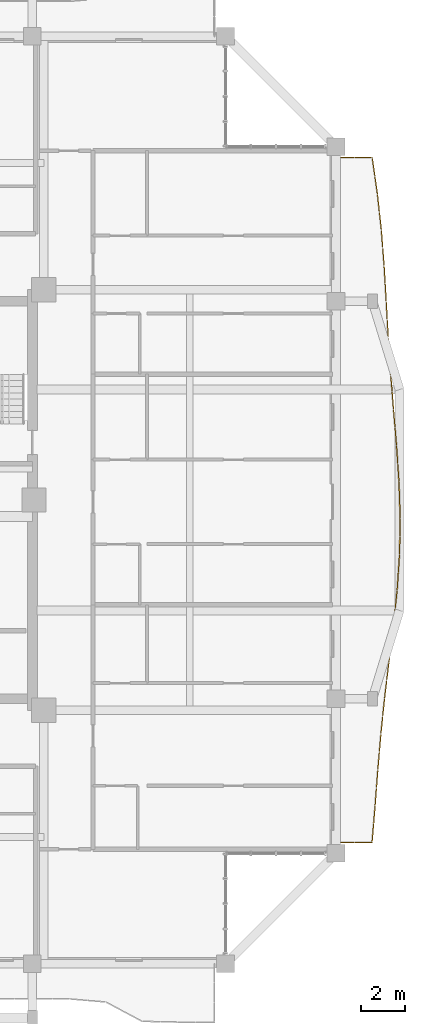
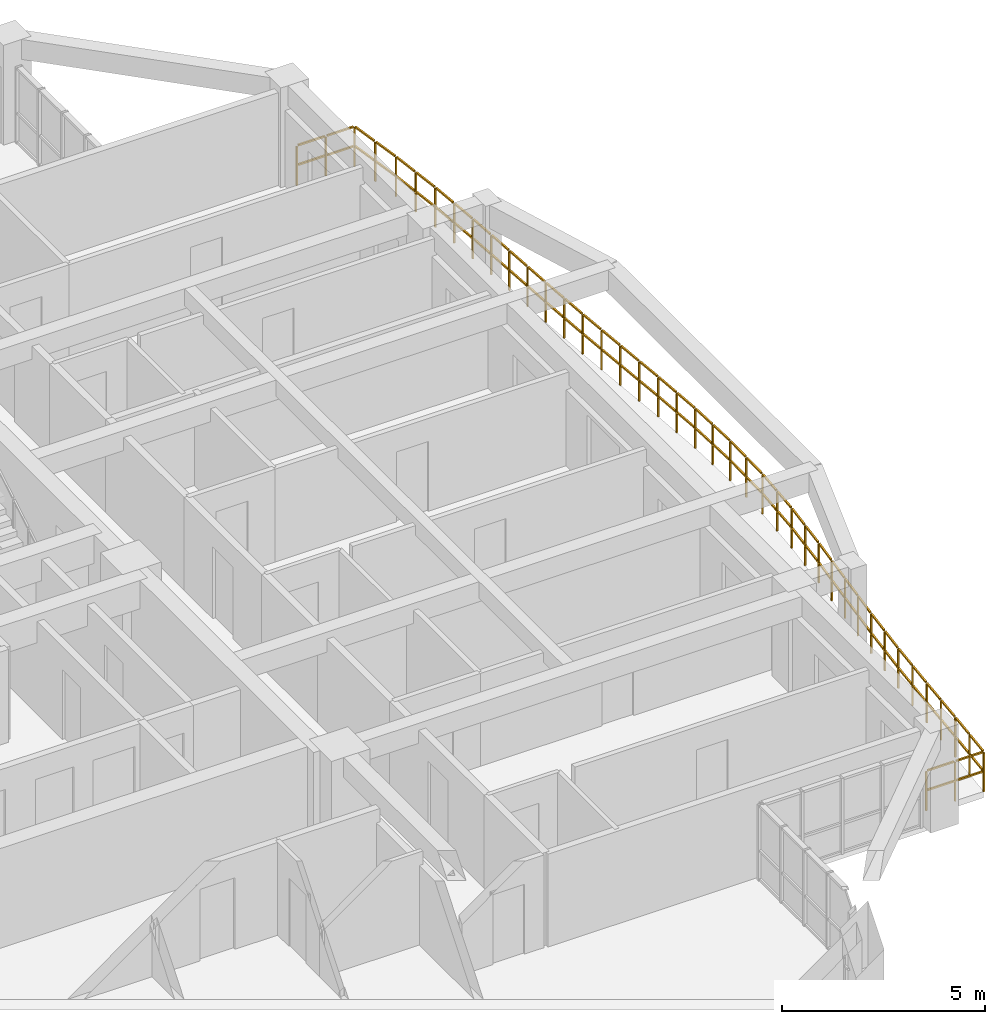
# One storey, part 21 of 22: 1 railing.
"""IFC4 building model written with IfcOpenShell, lengths in metres."""

from ifc_helpers import new_model, si_unit, direction, frame, origin, origin_2d, place, context, subcontext, project, spatial, rectangle, extrude, material, type_object, element, save


model = new_model("IFC4")

# Units and contexts
model_context = context("Model", 3, precision=1e-05, world=origin(), true_north=direction((0.0, 1.0)))
body_context = subcontext(model_context, "Body", "Model", "MODEL_VIEW")
ifc_project = project(units=[si_unit("LENGTHUNIT", "METRE"), si_unit("AREAUNIT", "SQUARE_METRE"), si_unit("VOLUMEUNIT", "CUBIC_METRE"), si_unit("PLANEANGLEUNIT", "RADIAN"), si_unit("MASSUNIT", "GRAM", prefix="KILO")], contexts=[model_context])

# Site, building, storey
site_placement = place(None, origin())
site = spatial("IfcSite", under=ifc_project, at=site_placement, CompositionType="ELEMENT")
building_placement = place(site_placement, origin())
building = spatial("IfcBuilding", under=site, at=building_placement, Name="Saelheon Loggia Tower", CompositionType="ELEMENT")
storey_placement = place(building_placement, frame((0.0, 0.0, 176.800048828125)))
storey = spatial("IfcBuildingStorey", under=building, at=storey_placement, Name="L55", CompositionType="ELEMENT", Elevation=176.800048828125)

# Railing
ifc_material = material(Name="Architectural Precast Concrete and Laminated Glass Guard", Category="concrete")
railing_type = type_object("IfcRailingType", Name="Guard_Loggia_RL_LOG", PredefinedType="BALUSTRADE", material=ifc_material)
railing_placement = place(storey_placement, frame((58.25, 11.5, 0.0)))
element("IfcRailing", 1, at=railing_placement, inside=storey, type_object=railing_type, Name="L55 East Loggia Balustrade", PredefinedType="BALUSTRADE", context=body_context, shape_type="SweptSolid", body=[
    extrude(rectangle(XDim=0.048095703125, YDim=0.048095703125, at=origin_2d()), frame((0.033203125, 0.0, 1.19580078125), z_axis=(1.0, 0.0, 0.0), x_axis=(0.0, 1.0, 0.0)), (0.0, 0.0, 1.0), 0.7509765625),
    extrude(rectangle(XDim=0.048095703125, YDim=0.048095703125, at=origin_2d()), frame((0.033203125, 0.0, 0.60986328125), z_axis=(1.0, 0.0, 0.0), x_axis=(0.0, 1.0, 0.0)), (0.0, 0.0, 1.0), 0.7509765625),
    extrude(rectangle(XDim=0.048095703125, YDim=0.048095703125, at=origin_2d()), frame((0.850830078125, 0.0, 1.19580078125), z_axis=(1.0, 0.0, 0.0), x_axis=(0.0, 1.0, 0.0)), (0.0, 0.0, 1.0), 0.7509765625),
    extrude(rectangle(XDim=0.048095703125, YDim=0.048095703125, at=origin_2d()), frame((0.850830078125, 0.0, 0.60986328125), z_axis=(1.0, 0.0, 0.0), x_axis=(0.0, 1.0, 0.0)), (0.0, 0.0, 1.0), 0.7509765625),
    extrude(rectangle(XDim=0.048095703125, YDim=0.048095703125, at=origin_2d()), frame((1.6376953125, 0.033203125, 1.19580078125), z_axis=(0.083057820513, 0.99654472978, 0.0), x_axis=(-0.99654472978, 0.083057820513, 0.0)), (0.0, 0.0, 1.0), 0.752197265625),
    extrude(rectangle(XDim=0.048095703125, YDim=0.048095703125, at=origin_2d()), frame((1.6376953125, 0.033203125, 0.60986328125), z_axis=(0.083057820513, 0.99654472978, 0.0), x_axis=(-0.99654472978, 0.083057820513, 0.0)), (0.0, 0.0, 1.0), 0.752197265625),
    extrude(rectangle(XDim=0.048095703125, YDim=0.048095703125, at=origin_2d()), frame((1.705810546875, 0.848876953125, 1.19580078125), z_axis=(0.083057820513, 0.99654472978, 0.0), x_axis=(-0.99654472978, 0.083057820513, 0.0)), (0.0, 0.0, 1.0), 0.752197265625),
    extrude(rectangle(XDim=0.048095703125, YDim=0.048095703125, at=origin_2d()), frame((1.705810546875, 0.848876953125, 0.60986328125), z_axis=(0.083057820513, 0.99654472978, 0.0), x_axis=(-0.99654472978, 0.083057820513, 0.0)), (0.0, 0.0, 1.0), 0.752197265625),
    extrude(rectangle(XDim=0.048095703125, YDim=0.048095703125, at=origin_2d()), frame((1.7734375, 1.664794921875, 1.19580078125), z_axis=(0.075943449395, 0.99711212634, 0.0), x_axis=(-0.99711212634, 0.075943449395, 0.0)), (0.0, 0.0, 1.0), 0.751708984375),
    extrude(rectangle(XDim=0.048095703125, YDim=0.048095703125, at=origin_2d()), frame((1.7734375, 1.664794921875, 0.60986328125), z_axis=(0.075943449395, 0.99711212634, 0.0), x_axis=(-0.99711212634, 0.075943449395, 0.0)), (0.0, 0.0, 1.0), 0.751708984375),
    extrude(rectangle(XDim=0.048095703125, YDim=0.048095703125, at=origin_2d()), frame((1.835693359375, 2.48046875, 1.19580078125), z_axis=(0.075943449395, 0.99711212634, 0.0), x_axis=(-0.99711212634, 0.075943449395, 0.0)), (0.0, 0.0, 1.0), 0.751708984375),
    extrude(rectangle(XDim=0.048095703125, YDim=0.048095703125, at=origin_2d()), frame((1.835693359375, 2.48046875, 0.60986328125), z_axis=(0.075943449395, 0.99711212634, 0.0), x_axis=(-0.99711212634, 0.075943449395, 0.0)), (0.0, 0.0, 1.0), 0.751708984375),
    extrude(rectangle(XDim=0.048095703125, YDim=0.048095703125, at=origin_2d()), frame((1.898193359375, 3.29638671875, 1.19580078125), z_axis=(0.084538420607, 0.996420220309, 0.0), x_axis=(-0.996420220309, 0.084538420607, 0.0)), (0.0, 0.0, 1.0), 0.752197265625),
    extrude(rectangle(XDim=0.048095703125, YDim=0.048095703125, at=origin_2d()), frame((1.898193359375, 3.29638671875, 0.60986328125), z_axis=(0.084538420607, 0.996420220309, 0.0), x_axis=(-0.996420220309, 0.084538420607, 0.0)), (0.0, 0.0, 1.0), 0.752197265625),
    extrude(rectangle(XDim=0.048095703125, YDim=0.048095703125, at=origin_2d()), frame((1.96728515625, 4.112060546875, 1.19580078125), z_axis=(0.084538420607, 0.996420220309, 0.0), x_axis=(-0.996420220309, 0.084538420607, 0.0)), (0.0, 0.0, 1.0), 0.752197265625),
    extrude(rectangle(XDim=0.048095703125, YDim=0.048095703125, at=origin_2d()), frame((1.96728515625, 4.112060546875, 0.60986328125), z_axis=(0.084538420607, 0.996420220309, 0.0), x_axis=(-0.996420220309, 0.084538420607, 0.0)), (0.0, 0.0, 1.0), 0.752197265625),
    extrude(rectangle(XDim=0.048095703125, YDim=0.048095703125, at=origin_2d()), frame((2.037109375, 4.927734375, 1.19580078125), z_axis=(0.102701101398, 0.994712261798, 0.0), x_axis=(-0.994712261798, 0.102701101398, 0.0)), (0.0, 0.0, 1.0), 0.753662109375),
    extrude(rectangle(XDim=0.048095703125, YDim=0.048095703125, at=origin_2d()), frame((2.037109375, 4.927734375, 0.60986328125), z_axis=(0.102701101398, 0.994712261798, 0.0), x_axis=(-0.994712261798, 0.102701101398, 0.0)), (0.0, 0.0, 1.0), 0.753662109375),
    extrude(rectangle(XDim=0.048095703125, YDim=0.048095703125, at=origin_2d()), frame((2.121337890625, 5.74365234375, 1.19580078125), z_axis=(0.102701101398, 0.994712261798, 0.0), x_axis=(-0.994712261798, 0.102701101398, 0.0)), (0.0, 0.0, 1.0), 0.753662109375),
    extrude(rectangle(XDim=0.048095703125, YDim=0.048095703125, at=origin_2d()), frame((2.121337890625, 5.74365234375, 0.60986328125), z_axis=(0.102701101398, 0.994712261798, 0.0), x_axis=(-0.994712261798, 0.102701101398, 0.0)), (0.0, 0.0, 1.0), 0.753662109375),
    extrude(rectangle(XDim=0.048095703125, YDim=0.048095703125, at=origin_2d()), frame((2.2060546875, 6.559326171875, 1.19580078125), z_axis=(0.119151078954, 0.992876135469, 0.0), x_axis=(-0.992876135469, 0.119151078954, 0.0)), (0.0, 0.0, 1.0), 0.755126953125),
    extrude(rectangle(XDim=0.048095703125, YDim=0.048095703125, at=origin_2d()), frame((2.2060546875, 6.559326171875, 0.60986328125), z_axis=(0.119151078954, 0.992876135469, 0.0), x_axis=(-0.992876135469, 0.119151078954, 0.0)), (0.0, 0.0, 1.0), 0.755126953125),
    extrude(rectangle(XDim=0.048095703125, YDim=0.048095703125, at=origin_2d()), frame((2.303955078125, 7.375244140625, 1.19580078125), z_axis=(0.119151078954, 0.992876135469, 0.0), x_axis=(-0.992876135469, 0.119151078954, 0.0)), (0.0, 0.0, 1.0), 0.755126953125),
    extrude(rectangle(XDim=0.048095703125, YDim=0.048095703125, at=origin_2d()), frame((2.303955078125, 7.375244140625, 0.60986328125), z_axis=(0.119151078954, 0.992876135469, 0.0), x_axis=(-0.992876135469, 0.119151078954, 0.0)), (0.0, 0.0, 1.0), 0.755126953125),
    extrude(rectangle(XDim=0.048095703125, YDim=0.048095703125, at=origin_2d()), frame((2.402099609375, 8.19091796875, 1.19580078125), z_axis=(0.121932370981, 0.992538410797, 0.0), x_axis=(-0.992538410797, 0.121932370981, 0.0)), (0.0, 0.0, 1.0), 0.75537109375),
    extrude(rectangle(XDim=0.048095703125, YDim=0.048095703125, at=origin_2d()), frame((2.402099609375, 8.19091796875, 0.60986328125), z_axis=(0.121932370981, 0.992538410797, 0.0), x_axis=(-0.992538410797, 0.121932370981, 0.0)), (0.0, 0.0, 1.0), 0.75537109375),
    extrude(rectangle(XDim=0.048095703125, YDim=0.048095703125, at=origin_2d()), frame((2.502197265625, 9.0068359375, 1.19580078125), z_axis=(0.121932370981, 0.992538410797, 0.0), x_axis=(-0.992538410797, 0.121932370981, 0.0)), (0.0, 0.0, 1.0), 0.75537109375),
    extrude(rectangle(XDim=0.048095703125, YDim=0.048095703125, at=origin_2d()), frame((2.502197265625, 9.0068359375, 0.60986328125), z_axis=(0.121932370981, 0.992538410797, 0.0), x_axis=(-0.992538410797, 0.121932370981, 0.0)), (0.0, 0.0, 1.0), 0.75537109375),
    extrude(rectangle(XDim=0.048095703125, YDim=0.048095703125, at=origin_2d()), frame((2.601806640625, 9.822509765625, 1.19580078125), z_axis=(0.104320685609, 0.994543711736, 0.0), x_axis=(-0.994543711736, 0.104320685609, 0.0)), (0.0, 0.0, 1.0), 0.75390625),
    extrude(rectangle(XDim=0.048095703125, YDim=0.048095703125, at=origin_2d()), frame((2.601806640625, 9.822509765625, 0.60986328125), z_axis=(0.104320685609, 0.994543711736, 0.0), x_axis=(-0.994543711736, 0.104320685609, 0.0)), (0.0, 0.0, 1.0), 0.75390625),
    extrude(rectangle(XDim=0.048095703125, YDim=0.048095703125, at=origin_2d()), frame((2.6875, 10.638427734375, 1.19580078125), z_axis=(0.104320685609, 0.994543711736, 0.0), x_axis=(-0.994543711736, 0.104320685609, 0.0)), (0.0, 0.0, 1.0), 0.75390625),
    extrude(rectangle(XDim=0.048095703125, YDim=0.048095703125, at=origin_2d()), frame((2.6875, 10.638427734375, 0.60986328125), z_axis=(0.104320685609, 0.994543711736, 0.0), x_axis=(-0.994543711736, 0.104320685609, 0.0)), (0.0, 0.0, 1.0), 0.75390625),
    extrude(rectangle(XDim=0.048095703125, YDim=0.048095703125, at=origin_2d()), frame((2.771728515625, 11.454345703125, 1.19580078125), z_axis=(0.066598297147, 0.997779868918, 0.0), x_axis=(-0.997779868918, 0.066598297147, 0.0)), (0.0, 0.0, 1.0), 0.7509765625),
    extrude(rectangle(XDim=0.048095703125, YDim=0.048095703125, at=origin_2d()), frame((2.771728515625, 11.454345703125, 0.60986328125), z_axis=(0.066598297147, 0.997779868918, 0.0), x_axis=(-0.997779868918, 0.066598297147, 0.0)), (0.0, 0.0, 1.0), 0.7509765625),
    extrude(rectangle(XDim=0.048095703125, YDim=0.048095703125, at=origin_2d()), frame((2.826171875, 12.27001953125, 1.19580078125), z_axis=(0.066598297147, 0.997779868918, 0.0), x_axis=(-0.997779868918, 0.066598297147, 0.0)), (0.0, 0.0, 1.0), 0.7509765625),
    extrude(rectangle(XDim=0.048095703125, YDim=0.048095703125, at=origin_2d()), frame((2.826171875, 12.27001953125, 0.60986328125), z_axis=(0.066598297147, 0.997779868918, 0.0), x_axis=(-0.997779868918, 0.066598297147, 0.0)), (0.0, 0.0, 1.0), 0.7509765625),
    extrude(rectangle(XDim=0.048095703125, YDim=0.048095703125, at=origin_2d()), frame((2.87890625, 13.085693359375, 1.19580078125), z_axis=(0.016607016674, 0.99986209399, 0.0), x_axis=(-0.99986209399, 0.016607016674, 0.0)), (0.0, 0.0, 1.0), 0.74951171875),
    extrude(rectangle(XDim=0.048095703125, YDim=0.048095703125, at=origin_2d()), frame((2.87890625, 13.085693359375, 0.60986328125), z_axis=(0.016607016674, 0.99986209399, 0.0), x_axis=(-0.99986209399, 0.016607016674, 0.0)), (0.0, 0.0, 1.0), 0.74951171875),
    extrude(rectangle(XDim=0.048095703125, YDim=0.048095703125, at=origin_2d()), frame((2.892578125, 13.901611328125, 1.19580078125), z_axis=(0.016607016674, 0.99986209399, 0.0), x_axis=(-0.99986209399, 0.016607016674, 0.0)), (0.0, 0.0, 1.0), 0.74951171875),
    extrude(rectangle(XDim=0.048095703125, YDim=0.048095703125, at=origin_2d()), frame((2.892578125, 13.901611328125, 0.60986328125), z_axis=(0.016607016674, 0.99986209399, 0.0), x_axis=(-0.99986209399, 0.016607016674, 0.0)), (0.0, 0.0, 1.0), 0.74951171875),
    extrude(rectangle(XDim=0.048095703125, YDim=0.048095703125, at=origin_2d()), frame((2.904541015625, 14.71728515625, 1.19580078125), z_axis=(-0.032149739476, 0.999483063514, 0.0), x_axis=(-0.999483063514, -0.032149739476, 0.0)), (0.0, 0.0, 1.0), 0.749755859375),
    extrude(rectangle(XDim=0.048095703125, YDim=0.048095703125, at=origin_2d()), frame((2.904541015625, 14.71728515625, 0.60986328125), z_axis=(-0.032149739476, 0.999483063514, 0.0), x_axis=(-0.999483063514, -0.032149739476, 0.0)), (0.0, 0.0, 1.0), 0.749755859375),
    extrude(rectangle(XDim=0.048095703125, YDim=0.048095703125, at=origin_2d()), frame((2.878173828125, 15.533203125, 1.19580078125), z_axis=(-0.032149739476, 0.999483063514, 0.0), x_axis=(-0.999483063514, -0.032149739476, 0.0)), (0.0, 0.0, 1.0), 0.749755859375),
    extrude(rectangle(XDim=0.048095703125, YDim=0.048095703125, at=origin_2d()), frame((2.878173828125, 15.533203125, 0.60986328125), z_axis=(-0.032149739476, 0.999483063514, 0.0), x_axis=(-0.999483063514, -0.032149739476, 0.0)), (0.0, 0.0, 1.0), 0.749755859375),
    extrude(rectangle(XDim=0.048095703125, YDim=0.048095703125, at=origin_2d()), frame((2.850830078125, 16.34912109375, 1.19580078125), z_axis=(-0.067480131587, 0.99772061813, 0.0), x_axis=(-0.99772061813, -0.067480131587, 0.0)), (0.0, 0.0, 1.0), 0.751220703125),
    extrude(rectangle(XDim=0.048095703125, YDim=0.048095703125, at=origin_2d()), frame((2.850830078125, 16.34912109375, 0.60986328125), z_axis=(-0.067480131587, 0.99772061813, 0.0), x_axis=(-0.99772061813, -0.067480131587, 0.0)), (0.0, 0.0, 1.0), 0.751220703125),
    extrude(rectangle(XDim=0.048095703125, YDim=0.048095703125, at=origin_2d()), frame((2.795654296875, 17.164794921875, 1.19580078125), z_axis=(-0.067480131587, 0.99772061813, 0.0), x_axis=(-0.99772061813, -0.067480131587, 0.0)), (0.0, 0.0, 1.0), 0.751220703125),
    extrude(rectangle(XDim=0.048095703125, YDim=0.048095703125, at=origin_2d()), frame((2.795654296875, 17.164794921875, 0.60986328125), z_axis=(-0.067480131587, 0.99772061813, 0.0), x_axis=(-0.99772061813, -0.067480131587, 0.0)), (0.0, 0.0, 1.0), 0.751220703125),
    extrude(rectangle(XDim=0.048095703125, YDim=0.048095703125, at=origin_2d()), frame((2.739990234375, 17.980712890625, 1.19580078125), z_axis=(-0.082773935064, 0.996568349725, 0.0), x_axis=(-0.996568349725, -0.082773935064, 0.0)), (0.0, 0.0, 1.0), 0.751953125),
    extrude(rectangle(XDim=0.048095703125, YDim=0.048095703125, at=origin_2d()), frame((2.739990234375, 17.980712890625, 0.60986328125), z_axis=(-0.082773935064, 0.996568349725, 0.0), x_axis=(-0.996568349725, -0.082773935064, 0.0)), (0.0, 0.0, 1.0), 0.751953125),
    extrude(rectangle(XDim=0.048095703125, YDim=0.048095703125, at=origin_2d()), frame((2.672119140625, 18.79638671875, 1.19580078125), z_axis=(-0.082773935064, 0.996568349725, 0.0), x_axis=(-0.996568349725, -0.082773935064, 0.0)), (0.0, 0.0, 1.0), 0.751953125),
    extrude(rectangle(XDim=0.048095703125, YDim=0.048095703125, at=origin_2d()), frame((2.672119140625, 18.79638671875, 0.60986328125), z_axis=(-0.082773935064, 0.996568349725, 0.0), x_axis=(-0.996568349725, -0.082773935064, 0.0)), (0.0, 0.0, 1.0), 0.751953125),
    extrude(rectangle(XDim=0.048095703125, YDim=0.048095703125, at=origin_2d()), frame((2.6044921875, 19.612060546875, 1.19580078125), z_axis=(-0.079502153526, 0.996834694212, 0.0), x_axis=(-0.996834694212, -0.079502153526, 0.0)), (0.0, 0.0, 1.0), 0.751953125),
    extrude(rectangle(XDim=0.048095703125, YDim=0.048095703125, at=origin_2d()), frame((2.6044921875, 19.612060546875, 0.60986328125), z_axis=(-0.079502153526, 0.996834694212, 0.0), x_axis=(-0.996834694212, -0.079502153526, 0.0)), (0.0, 0.0, 1.0), 0.751953125),
    extrude(rectangle(XDim=0.048095703125, YDim=0.048095703125, at=origin_2d()), frame((2.53955078125, 20.427734375, 1.19580078125), z_axis=(-0.079502153526, 0.996834694212, 0.0), x_axis=(-0.996834694212, -0.079502153526, 0.0)), (0.0, 0.0, 1.0), 0.751953125),
    extrude(rectangle(XDim=0.048095703125, YDim=0.048095703125, at=origin_2d()), frame((2.53955078125, 20.427734375, 0.60986328125), z_axis=(-0.079502153526, 0.996834694212, 0.0), x_axis=(-0.996834694212, -0.079502153526, 0.0)), (0.0, 0.0, 1.0), 0.751953125),
    extrude(rectangle(XDim=0.048095703125, YDim=0.048095703125, at=origin_2d()), frame((2.474853515625, 21.24365234375, 1.19580078125), z_axis=(-0.066737013077, 0.997770600432, 0.0), x_axis=(-0.997770600432, -0.066737013077, 0.0)), (0.0, 0.0, 1.0), 0.751220703125),
    extrude(rectangle(XDim=0.048095703125, YDim=0.048095703125, at=origin_2d()), frame((2.474853515625, 21.24365234375, 0.60986328125), z_axis=(-0.066737013077, 0.997770600432, 0.0), x_axis=(-0.997770600432, -0.066737013077, 0.0)), (0.0, 0.0, 1.0), 0.751220703125),
    extrude(rectangle(XDim=0.048095703125, YDim=0.048095703125, at=origin_2d()), frame((2.420166015625, 22.059326171875, 1.19580078125), z_axis=(-0.066737013077, 0.997770600432, 0.0), x_axis=(-0.997770600432, -0.066737013077, 0.0)), (0.0, 0.0, 1.0), 0.751220703125),
    extrude(rectangle(XDim=0.048095703125, YDim=0.048095703125, at=origin_2d()), frame((2.420166015625, 22.059326171875, 0.60986328125), z_axis=(-0.066737013077, 0.997770600432, 0.0), x_axis=(-0.997770600432, -0.066737013077, 0.0)), (0.0, 0.0, 1.0), 0.751220703125),
    extrude(rectangle(XDim=0.048095703125, YDim=0.048095703125, at=origin_2d()), frame((2.365966796875, 22.875244140625, 1.19580078125), z_axis=(-0.056024393999, 0.998429400247, 0.0), x_axis=(-0.998429400247, -0.056024393999, 0.0)), (0.0, 0.0, 1.0), 0.750732421875),
    extrude(rectangle(XDim=0.048095703125, YDim=0.048095703125, at=origin_2d()), frame((2.365966796875, 22.875244140625, 0.60986328125), z_axis=(-0.056024393999, 0.998429400247, 0.0), x_axis=(-0.998429400247, -0.056024393999, 0.0)), (0.0, 0.0, 1.0), 0.750732421875),
    extrude(rectangle(XDim=0.048095703125, YDim=0.048095703125, at=origin_2d()), frame((2.3203125, 23.69091796875, 1.19580078125), z_axis=(-0.056024393999, 0.998429400247, 0.0), x_axis=(-0.998429400247, -0.056024393999, 0.0)), (0.0, 0.0, 1.0), 0.750732421875),
    extrude(rectangle(XDim=0.048095703125, YDim=0.048095703125, at=origin_2d()), frame((2.3203125, 23.69091796875, 0.60986328125), z_axis=(-0.056024393999, 0.998429400247, 0.0), x_axis=(-0.998429400247, -0.056024393999, 0.0)), (0.0, 0.0, 1.0), 0.750732421875),
    extrude(rectangle(XDim=0.048095703125, YDim=0.048095703125, at=origin_2d()), frame((2.2744140625, 24.5068359375, 1.19580078125), z_axis=(-0.058406780031, 0.998292866871, 0.0), x_axis=(-0.998292866871, -0.058406780031, 0.0)), (0.0, 0.0, 1.0), 0.750732421875),
    extrude(rectangle(XDim=0.048095703125, YDim=0.048095703125, at=origin_2d()), frame((2.2744140625, 24.5068359375, 0.60986328125), z_axis=(-0.058406780031, 0.998292866871, 0.0), x_axis=(-0.998292866871, -0.058406780031, 0.0)), (0.0, 0.0, 1.0), 0.750732421875),
    extrude(rectangle(XDim=0.048095703125, YDim=0.048095703125, at=origin_2d()), frame((2.226806640625, 25.322509765625, 1.19580078125), z_axis=(-0.058406780031, 0.998292866871, 0.0), x_axis=(-0.998292866871, -0.058406780031, 0.0)), (0.0, 0.0, 1.0), 0.750732421875),
    extrude(rectangle(XDim=0.048095703125, YDim=0.048095703125, at=origin_2d()), frame((2.226806640625, 25.322509765625, 0.60986328125), z_axis=(-0.058406780031, 0.998292866871, 0.0), x_axis=(-0.998292866871, -0.058406780031, 0.0)), (0.0, 0.0, 1.0), 0.750732421875),
    extrude(rectangle(XDim=0.048095703125, YDim=0.048095703125, at=origin_2d()), frame((2.17822265625, 26.138427734375, 1.19580078125), z_axis=(-0.077426603381, 0.996998054707, 0.0), x_axis=(-0.996998054707, -0.077426603381, 0.0)), (0.0, 0.0, 1.0), 0.751708984375),
    extrude(rectangle(XDim=0.048095703125, YDim=0.048095703125, at=origin_2d()), frame((2.17822265625, 26.138427734375, 0.60986328125), z_axis=(-0.077426603381, 0.996998054707, 0.0), x_axis=(-0.996998054707, -0.077426603381, 0.0)), (0.0, 0.0, 1.0), 0.751708984375),
    extrude(rectangle(XDim=0.048095703125, YDim=0.048095703125, at=origin_2d()), frame((2.114990234375, 26.9541015625, 1.19580078125), z_axis=(-0.077426603381, 0.996998054707, 0.0), x_axis=(-0.996998054707, -0.077426603381, 0.0)), (0.0, 0.0, 1.0), 0.751708984375),
    extrude(rectangle(XDim=0.048095703125, YDim=0.048095703125, at=origin_2d()), frame((2.114990234375, 26.9541015625, 0.60986328125), z_axis=(-0.077426603381, 0.996998054707, 0.0), x_axis=(-0.996998054707, -0.077426603381, 0.0)), (0.0, 0.0, 1.0), 0.751708984375),
    extrude(rectangle(XDim=0.048095703125, YDim=0.048095703125, at=origin_2d()), frame((2.050537109375, 27.769775390625, 1.19580078125), z_axis=(-0.10888046536, 0.994054849726, 0.0), x_axis=(-0.994054849726, -0.10888046536, 0.0)), (0.0, 0.0, 1.0), 0.754150390625),
    extrude(rectangle(XDim=0.048095703125, YDim=0.048095703125, at=origin_2d()), frame((2.050537109375, 27.769775390625, 0.60986328125), z_axis=(-0.10888046536, 0.994054849726, 0.0), x_axis=(-0.994054849726, -0.10888046536, 0.0)), (0.0, 0.0, 1.0), 0.754150390625),
    extrude(rectangle(XDim=0.048095703125, YDim=0.048095703125, at=origin_2d()), frame((1.961181640625, 28.585693359375, 1.19580078125), z_axis=(-0.10888046536, 0.994054849726, 0.0), x_axis=(-0.994054849726, -0.10888046536, 0.0)), (0.0, 0.0, 1.0), 0.754150390625),
    extrude(rectangle(XDim=0.048095703125, YDim=0.048095703125, at=origin_2d()), frame((1.961181640625, 28.585693359375, 0.60986328125), z_axis=(-0.10888046536, 0.994054849726, 0.0), x_axis=(-0.994054849726, -0.10888046536, 0.0)), (0.0, 0.0, 1.0), 0.754150390625),
    extrude(rectangle(XDim=0.048095703125, YDim=0.048095703125, at=origin_2d()), frame((1.870849609375, 29.4013671875, 1.19580078125), z_axis=(-0.142043416269, 0.989860428492, 0.0), x_axis=(-0.989860428492, -0.142043416269, 0.0)), (0.0, 0.0, 1.0), 0.757568359375),
    extrude(rectangle(XDim=0.048095703125, YDim=0.048095703125, at=origin_2d()), frame((1.870849609375, 29.4013671875, 0.60986328125), z_axis=(-0.142043416269, 0.989860428492, 0.0), x_axis=(-0.989860428492, -0.142043416269, 0.0)), (0.0, 0.0, 1.0), 0.757568359375),
    extrude(rectangle(XDim=0.048095703125, YDim=0.048095703125, at=origin_2d()), frame((1.753662109375, 30.217041015625, 1.19580078125), z_axis=(-0.142043416269, 0.989860428492, 0.0), x_axis=(-0.989860428492, -0.142043416269, 0.0)), (0.0, 0.0, 1.0), 0.757568359375),
    extrude(rectangle(XDim=0.048095703125, YDim=0.048095703125, at=origin_2d()), frame((1.753662109375, 30.217041015625, 0.60986328125), z_axis=(-0.142043416269, 0.989860428492, 0.0), x_axis=(-0.989860428492, -0.142043416269, 0.0)), (0.0, 0.0, 1.0), 0.757568359375),
    extrude(rectangle(XDim=0.048095703125, YDim=0.048095703125, at=origin_2d()), frame((1.608154296875, 31.0, 1.19580078125), z_axis=(-1.0, 0.0, 0.0), x_axis=(0.0, -1.0, 0.0)), (0.0, 0.0, 1.0), 0.754150390625),
    extrude(rectangle(XDim=0.048095703125, YDim=0.048095703125, at=origin_2d()), frame((1.608154296875, 31.0, 0.60986328125), z_axis=(-1.0, 0.0, 0.0), x_axis=(0.0, -1.0, 0.0)), (0.0, 0.0, 1.0), 0.754150390625),
    extrude(rectangle(XDim=0.048095703125, YDim=0.048095703125, at=origin_2d()), frame((0.787353515625, 31.0, 1.19580078125), z_axis=(-1.0, 0.0, 0.0), x_axis=(0.0, -1.0, 0.0)), (0.0, 0.0, 1.0), 0.754150390625),
    extrude(rectangle(XDim=0.048095703125, YDim=0.048095703125, at=origin_2d()), frame((0.787353515625, 31.0, 0.60986328125), z_axis=(-1.0, 0.0, 0.0), x_axis=(0.0, -1.0, 0.0)), (0.0, 0.0, 1.0), 0.754150390625),
    extrude(rectangle(XDim=0.0419921875, YDim=0.0419921875, at=origin_2d()), origin(), (0.0, 0.0, 1.0), 1.16796875),
    extrude(rectangle(XDim=0.0419921875, YDim=0.0419921875, at=origin_2d()), frame((0.8173828125, 0.0, 0.0)), (0.0, 0.0, 1.0), 1.16796875),
    extrude(rectangle(XDim=0.0419921875, YDim=0.0419921875, at=origin_2d()), frame((1.635009765625, 0.0, 0.0)), (0.0, 0.0, 1.0), 1.16796875),
    extrude(rectangle(XDim=0.0419921875, YDim=0.0419921875, at=origin_2d()), frame((1.703125, 0.81591796875, 0.0)), (0.0, 0.0, 1.0), 1.16796875),
    extrude(rectangle(XDim=0.0419921875, YDim=0.0419921875, at=origin_2d()), frame((1.77099609375, 1.631591796875, 0.0)), (0.0, 0.0, 1.0), 1.16796875),
    extrude(rectangle(XDim=0.0419921875, YDim=0.0419921875, at=origin_2d()), frame((1.8330078125, 2.447265625, 0.0)), (0.0, 0.0, 1.0), 1.16796875),
    extrude(rectangle(XDim=0.0419921875, YDim=0.0419921875, at=origin_2d()), frame((1.895263671875, 3.26318359375, 0.0)), (0.0, 0.0, 1.0), 1.16796875),
    extrude(rectangle(XDim=0.0419921875, YDim=0.0419921875, at=origin_2d()), frame((1.96435546875, 4.0791015625, 0.0)), (0.0, 0.0, 1.0), 1.16796875),
    extrude(rectangle(XDim=0.0419921875, YDim=0.0419921875, at=origin_2d()), frame((2.03369140625, 4.894775390625, 0.0)), (0.0, 0.0, 1.0), 1.16796875),
    extrude(rectangle(XDim=0.0419921875, YDim=0.0419921875, at=origin_2d()), frame((2.117919921875, 5.71044921875, 0.0)), (0.0, 0.0, 1.0), 1.16796875),
    extrude(rectangle(XDim=0.0419921875, YDim=0.0419921875, at=origin_2d()), frame((2.2021484375, 6.5263671875, 0.0)), (0.0, 0.0, 1.0), 1.16796875),
    extrude(rectangle(XDim=0.0419921875, YDim=0.0419921875, at=origin_2d()), frame((2.300048828125, 7.34228515625, 0.0)), (0.0, 0.0, 1.0), 1.16796875),
    extrude(rectangle(XDim=0.0419921875, YDim=0.0419921875, at=origin_2d()), frame((2.39794921875, 8.157958984375, 0.0)), (0.0, 0.0, 1.0), 1.16796875),
    extrude(rectangle(XDim=0.0419921875, YDim=0.0419921875, at=origin_2d()), frame((2.498046875, 8.9736328125, 0.0)), (0.0, 0.0, 1.0), 1.16796875),
    extrude(rectangle(XDim=0.0419921875, YDim=0.0419921875, at=origin_2d()), frame((2.598388671875, 9.78955078125, 0.0)), (0.0, 0.0, 1.0), 1.16796875),
    extrude(rectangle(XDim=0.0419921875, YDim=0.0419921875, at=origin_2d()), frame((2.68408203125, 10.60546875, 0.0)), (0.0, 0.0, 1.0), 1.16796875),
    extrude(rectangle(XDim=0.0419921875, YDim=0.0419921875, at=origin_2d()), frame((2.76953125, 11.421142578125, 0.0)), (0.0, 0.0, 1.0), 1.16796875),
    extrude(rectangle(XDim=0.0419921875, YDim=0.0419921875, at=origin_2d()), frame((2.823974609375, 12.23681640625, 0.0)), (0.0, 0.0, 1.0), 1.16796875),
    extrude(rectangle(XDim=0.0419921875, YDim=0.0419921875, at=origin_2d()), frame((2.87841796875, 13.052490234375, 0.0)), (0.0, 0.0, 1.0), 1.16796875),
    extrude(rectangle(XDim=0.0419921875, YDim=0.0419921875, at=origin_2d()), frame((2.89208984375, 13.8681640625, 0.0)), (0.0, 0.0, 1.0), 1.16796875),
    extrude(rectangle(XDim=0.0419921875, YDim=0.0419921875, at=origin_2d()), frame((2.905517578125, 14.68408203125, 0.0)), (0.0, 0.0, 1.0), 1.16796875),
    extrude(rectangle(XDim=0.0419921875, YDim=0.0419921875, at=origin_2d()), frame((2.87939453125, 15.5, 0.0)), (0.0, 0.0, 1.0), 1.16796875),
    extrude(rectangle(XDim=0.0419921875, YDim=0.0419921875, at=origin_2d()), frame((2.85302734375, 16.31591796875, 0.0)), (0.0, 0.0, 1.0), 1.16796875),
    extrude(rectangle(XDim=0.0419921875, YDim=0.0419921875, at=origin_2d()), frame((2.7978515625, 17.1318359375, 0.0)), (0.0, 0.0, 1.0), 1.16796875),
    extrude(rectangle(XDim=0.0419921875, YDim=0.0419921875, at=origin_2d()), frame((2.74267578125, 17.947509765625, 0.0)), (0.0, 0.0, 1.0), 1.16796875),
    extrude(rectangle(XDim=0.0419921875, YDim=0.0419921875, at=origin_2d()), frame((2.6748046875, 18.76318359375, 0.0)), (0.0, 0.0, 1.0), 1.16796875),
    extrude(rectangle(XDim=0.0419921875, YDim=0.0419921875, at=origin_2d()), frame((2.607177734375, 19.578857421875, 0.0)), (0.0, 0.0, 1.0), 1.16796875),
    extrude(rectangle(XDim=0.0419921875, YDim=0.0419921875, at=origin_2d()), frame((2.5419921875, 20.39453125, 0.0)), (0.0, 0.0, 1.0), 1.16796875),
    extrude(rectangle(XDim=0.0419921875, YDim=0.0419921875, at=origin_2d()), frame((2.47705078125, 21.21044921875, 0.0)), (0.0, 0.0, 1.0), 1.16796875),
    extrude(rectangle(XDim=0.0419921875, YDim=0.0419921875, at=origin_2d()), frame((2.42236328125, 22.0263671875, 0.0)), (0.0, 0.0, 1.0), 1.16796875),
    extrude(rectangle(XDim=0.0419921875, YDim=0.0419921875, at=origin_2d()), frame((2.367919921875, 22.842041015625, 0.0)), (0.0, 0.0, 1.0), 1.16796875),
    extrude(rectangle(XDim=0.0419921875, YDim=0.0419921875, at=origin_2d()), frame((2.322265625, 23.65771484375, 0.0)), (0.0, 0.0, 1.0), 1.16796875),
    extrude(rectangle(XDim=0.0419921875, YDim=0.0419921875, at=origin_2d()), frame((2.2763671875, 24.4736328125, 0.0)), (0.0, 0.0, 1.0), 1.16796875),
    extrude(rectangle(XDim=0.0419921875, YDim=0.0419921875, at=origin_2d()), frame((2.228515625, 25.28955078125, 0.0)), (0.0, 0.0, 1.0), 1.16796875),
    extrude(rectangle(XDim=0.0419921875, YDim=0.0419921875, at=origin_2d()), frame((2.180908203125, 26.105224609375, 0.0)), (0.0, 0.0, 1.0), 1.16796875),
    extrude(rectangle(XDim=0.0419921875, YDim=0.0419921875, at=origin_2d()), frame((2.11767578125, 26.9208984375, 0.0)), (0.0, 0.0, 1.0), 1.16796875),
    extrude(rectangle(XDim=0.0419921875, YDim=0.0419921875, at=origin_2d()), frame((2.05419921875, 27.73681640625, 0.0)), (0.0, 0.0, 1.0), 1.16796875),
    extrude(rectangle(XDim=0.0419921875, YDim=0.0419921875, at=origin_2d()), frame((1.96484375, 28.552734375, 0.0)), (0.0, 0.0, 1.0), 1.16796875),
    extrude(rectangle(XDim=0.0419921875, YDim=0.0419921875, at=origin_2d()), frame((1.87548828125, 29.368408203125, 0.0)), (0.0, 0.0, 1.0), 1.16796875),
    extrude(rectangle(XDim=0.0419921875, YDim=0.0419921875, at=origin_2d()), frame((1.75830078125, 30.18408203125, 0.0)), (0.0, 0.0, 1.0), 1.16796875),
    extrude(rectangle(XDim=0.0419921875, YDim=0.0419921875, at=origin_2d()), frame((1.641357421875, 31.0, 0.0)), (0.0, 0.0, 1.0), 1.16796875),
    extrude(rectangle(XDim=0.0419921875, YDim=0.0419921875, at=origin_2d()), frame((0.82080078125, 31.0, 0.0)), (0.0, 0.0, 1.0), 1.16796875),
    extrude(rectangle(XDim=0.0419921875, YDim=0.0419921875, at=origin_2d()), frame((0.0, 31.0, 0.0)), (0.0, 0.0, 1.0), 1.16796875),
])

save(model, "model.ifc")
